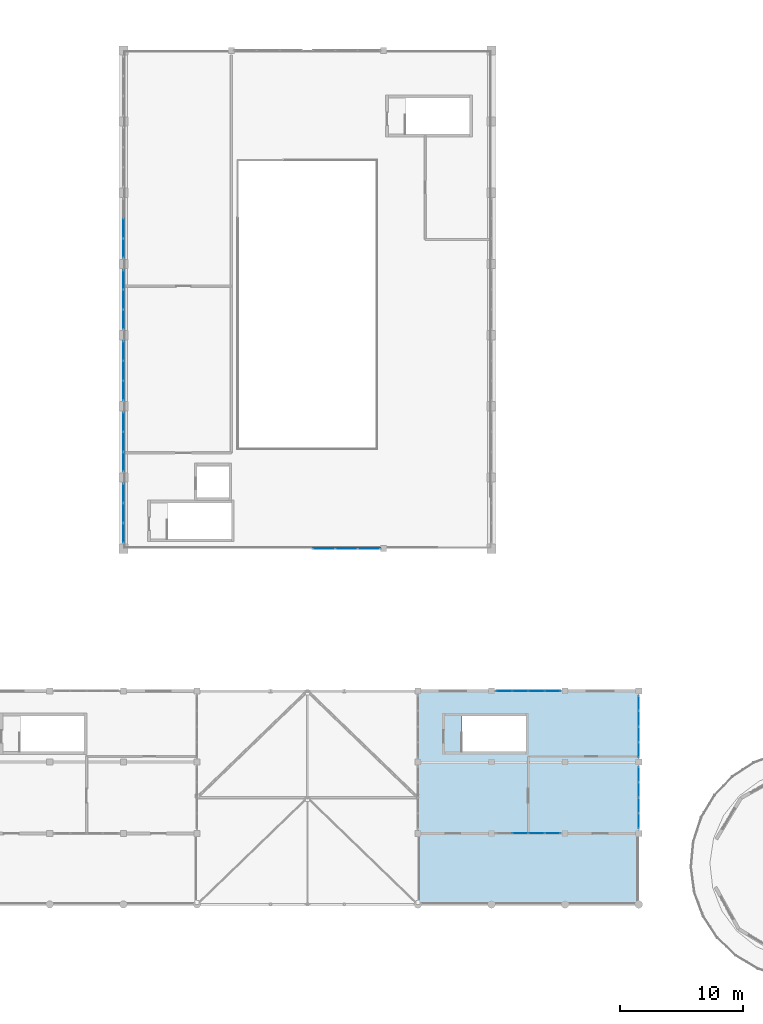
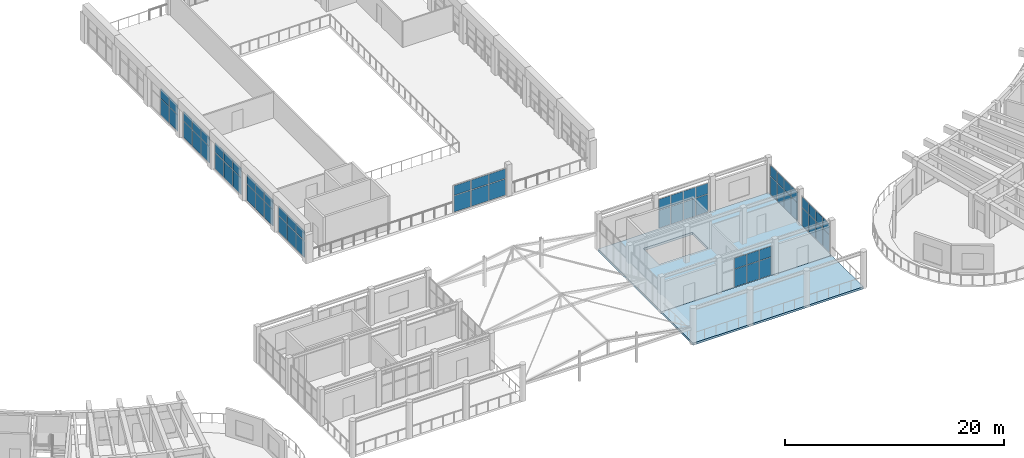
# One storey, part 69 of 128: 64 plates, 2 slabs, 10 elements without a shape of their own.
"""IFC4 building model written with IfcOpenShell, lengths in metres."""

from ifc_helpers import new_model, si_unit, direction, frame, origin, origin_2d, place, context, subcontext, project, spatial, polyline, rectangle, outline, extrude, material, layer, layer_set, type_object, element, aggregate, save


model = new_model("IFC4")

# Units and contexts
model_context = context("Model", 3, precision=1e-05, world=origin(), true_north=direction((0.0, 1.0)))
body_context = subcontext(model_context, "Body", "Model", "MODEL_VIEW")
ifc_project = project(units=[si_unit("LENGTHUNIT", "METRE"), si_unit("AREAUNIT", "SQUARE_METRE"), si_unit("VOLUMEUNIT", "CUBIC_METRE"), si_unit("PLANEANGLEUNIT", "RADIAN"), si_unit("MASSUNIT", "GRAM", prefix="KILO")], contexts=[model_context])

# Site, building, storey
site_placement = place(None, origin())
site = spatial("IfcSite", under=ifc_project, at=site_placement, CompositionType="ELEMENT")
building_placement = place(site_placement, origin())
building = spatial("IfcBuilding", under=site, at=building_placement, Name="Tanwirah Colonnade Gardens", CompositionType="ELEMENT")
storey_placement = place(building_placement, frame((0.0, 0.0, 4.760009765625)))
storey = spatial("IfcBuildingStorey", under=building, at=storey_placement, Name="L01", CompositionType="ELEMENT", Elevation=4.760009765625)

# Curtain wall, plates
ifc_material_1 = material(Name="Bronze-anodised aluminium and solar-control low-E glass", Category="aluminium")
curtain_wall_type_1 = type_object("IfcCurtainWallType", Name="CW-HALL", PredefinedType="NOTDEFINED", material=ifc_material_1)
curtain_wall_1_placement = place(storey_placement, origin())
curtain_wall_1 = element("IfcCurtainWall", 1, at=curtain_wall_1_placement, inside=storey, type_object=curtain_wall_type_1, Name="Curtain Wall CW-HALL-L01-S-2", PredefinedType="NOTDEFINED")
ifc_material_2 = material(Name="Solar-control low-E double glazing", Category="glass")
ifc_layer_1 = layer(ifc_material_2, 0.028076171875)
ifc_layer_set_1 = layer_set([ifc_layer_1], Name="Solar-control low-E double glazing")
plate_type_1 = type_object("IfcPlateType", Name="CWP-GLZ28", PredefinedType="CURTAIN_PANEL", material=ifc_layer_set_1)
plate_1_placement = place(storey_placement, frame((94.344970703125, 39.800048828125, 0.06005859375), z_axis=(0.0, 0.0, 1.0), x_axis=(1.0, 0.0, 0.0)))
plate_1 = element("IfcPlate", 2, at=plate_1_placement, type_object=plate_type_1, Name="CW-HALL panel 1.1", PredefinedType="CURTAIN_PANEL", context=body_context, shape_type="SweptSolid", body=[
    extrude(rectangle(XDim=1.77001953125, YDim=0.028076171875, at=origin_2d()), origin(), (0.0, 0.0, 1.0), 1.80712890625),
])
plate_2_placement = place(storey_placement, frame((94.344970703125, 39.800048828125, 1.92724609375), z_axis=(0.0, 0.0, 1.0), x_axis=(1.0, 0.0, 0.0)))
plate_2 = element("IfcPlate", 3, at=plate_2_placement, type_object=plate_type_1, Name="CW-HALL panel 1.2", PredefinedType="CURTAIN_PANEL", context=body_context, shape_type="SweptSolid", body=[
    extrude(rectangle(XDim=1.77001953125, YDim=0.028076171875, at=origin_2d()), origin(), (0.0, 0.0, 1.0), 1.07275390625),
])
plate_3_placement = place(storey_placement, frame((96.18994140625, 39.800048828125, 0.06005859375), z_axis=(0.0, 0.0, 1.0), x_axis=(1.0, 0.0, 0.0)))
plate_3 = element("IfcPlate", 4, at=plate_3_placement, type_object=plate_type_1, Name="CW-HALL panel 2.1", PredefinedType="CURTAIN_PANEL", context=body_context, shape_type="SweptSolid", body=[
    extrude(rectangle(XDim=1.800048828125, YDim=0.028076171875, at=origin_2d()), origin(), (0.0, 0.0, 1.0), 1.80712890625),
])
plate_4_placement = place(storey_placement, frame((96.18994140625, 39.800048828125, 1.92724609375), z_axis=(0.0, 0.0, 1.0), x_axis=(1.0, 0.0, 0.0)))
plate_4 = element("IfcPlate", 5, at=plate_4_placement, type_object=plate_type_1, Name="CW-HALL panel 2.2", PredefinedType="CURTAIN_PANEL", context=body_context, shape_type="SweptSolid", body=[
    extrude(rectangle(XDim=1.800048828125, YDim=0.028076171875, at=origin_2d()), origin(), (0.0, 0.0, 1.0), 1.07275390625),
])
plate_5_placement = place(storey_placement, frame((98.034912109375, 39.800048828125, 0.06005859375), z_axis=(0.0, 0.0, 1.0), x_axis=(1.0, 0.0, 0.0)))
plate_5 = element("IfcPlate", 6, at=plate_5_placement, type_object=plate_type_1, Name="CW-HALL panel 3.1", PredefinedType="CURTAIN_PANEL", context=body_context, shape_type="SweptSolid", body=[
    extrude(rectangle(XDim=1.77001953125, YDim=0.028076171875, at=origin_2d()), origin(), (0.0, 0.0, 1.0), 1.80712890625),
])
plate_6_placement = place(storey_placement, frame((98.034912109375, 39.800048828125, 1.92724609375), z_axis=(0.0, 0.0, 1.0), x_axis=(1.0, 0.0, 0.0)))
plate_6 = element("IfcPlate", 7, at=plate_6_placement, type_object=plate_type_1, Name="CW-HALL panel 3.2", PredefinedType="CURTAIN_PANEL", context=body_context, shape_type="SweptSolid", body=[
    extrude(rectangle(XDim=1.77001953125, YDim=0.028076171875, at=origin_2d()), origin(), (0.0, 0.0, 1.0), 1.07275390625),
])
aggregate(curtain_wall_1, [plate_1, plate_2, plate_3, plate_4, plate_5, plate_6])

curtain_wall_type_2 = type_object("IfcCurtainWallType", Name="CW-SHP", PredefinedType="NOTDEFINED", material=ifc_material_1)
curtain_wall_2_placement = place(storey_placement, origin())
curtain_wall_2 = element("IfcCurtainWall", 8, at=curtain_wall_2_placement, inside=storey, type_object=curtain_wall_type_2, Name="Curtain Wall CW-SHP-E-L01-S-1", PredefinedType="NOTDEFINED")
plate_7_placement = place(storey_placement, frame((110.33740234375, 16.60009765625, 0.06005859375), z_axis=(0.0, 0.0, 1.0), x_axis=(1.0, 0.0, 0.0)))
plate_7 = element("IfcPlate", 9, at=plate_7_placement, type_object=plate_type_1, Name="CW-SHP panel 2.1", PredefinedType="CURTAIN_PANEL", context=body_context, shape_type="SweptSolid", body=[
    extrude(rectangle(XDim=1.264892578125, YDim=0.028076171875, at=origin_2d()), origin(), (0.0, 0.0, 1.0), 1.980712890625),
])
plate_8_placement = place(storey_placement, frame((110.33740234375, 16.60009765625, 2.100830078125), z_axis=(0.0, 0.0, 1.0), x_axis=(1.0, 0.0, 0.0)))
plate_8 = element("IfcPlate", 10, at=plate_8_placement, type_object=plate_type_1, Name="CW-SHP panel 2.2", PredefinedType="CURTAIN_PANEL", context=body_context, shape_type="SweptSolid", body=[
    extrude(rectangle(XDim=1.264892578125, YDim=0.028076171875, at=origin_2d()), origin(), (0.0, 0.0, 1.0), 1.17919921875),
])
plate_9_placement = place(storey_placement, frame((111.66259765625, 16.60009765625, 0.06005859375), z_axis=(0.0, 0.0, 1.0), x_axis=(1.0, 0.0, 0.0)))
plate_9 = element("IfcPlate", 11, at=plate_9_placement, type_object=plate_type_1, Name="CW-SHP panel 3.1", PredefinedType="CURTAIN_PANEL", context=body_context, shape_type="SweptSolid", body=[
    extrude(rectangle(XDim=1.264892578125, YDim=0.028076171875, at=origin_2d()), origin(), (0.0, 0.0, 1.0), 1.980712890625),
])
plate_10_placement = place(storey_placement, frame((111.66259765625, 16.60009765625, 2.100830078125), z_axis=(0.0, 0.0, 1.0), x_axis=(1.0, 0.0, 0.0)))
plate_10 = element("IfcPlate", 12, at=plate_10_placement, type_object=plate_type_1, Name="CW-SHP panel 3.2", PredefinedType="CURTAIN_PANEL", context=body_context, shape_type="SweptSolid", body=[
    extrude(rectangle(XDim=1.264892578125, YDim=0.028076171875, at=origin_2d()), origin(), (0.0, 0.0, 1.0), 1.17919921875),
])
plate_11_placement = place(storey_placement, frame((112.972412109375, 16.60009765625, 0.06005859375), z_axis=(0.0, 0.0, 1.0), x_axis=(1.0, 0.0, 0.0)))
plate_11 = element("IfcPlate", 13, at=plate_11_placement, type_object=plate_type_1, Name="CW-SHP panel 4.1", PredefinedType="CURTAIN_PANEL", context=body_context, shape_type="SweptSolid", body=[
    extrude(rectangle(XDim=1.235107421875, YDim=0.028076171875, at=origin_2d()), origin(), (0.0, 0.0, 1.0), 1.980712890625),
])
plate_12_placement = place(storey_placement, frame((112.972412109375, 16.60009765625, 2.100830078125), z_axis=(0.0, 0.0, 1.0), x_axis=(1.0, 0.0, 0.0)))
plate_12 = element("IfcPlate", 14, at=plate_12_placement, type_object=plate_type_1, Name="CW-SHP panel 4.2", PredefinedType="CURTAIN_PANEL", context=body_context, shape_type="SweptSolid", body=[
    extrude(rectangle(XDim=1.235107421875, YDim=0.028076171875, at=origin_2d()), origin(), (0.0, 0.0, 1.0), 1.17919921875),
])
aggregate(curtain_wall_2, [plate_7, plate_8, plate_9, plate_10, plate_11, plate_12])

curtain_wall_3_placement = place(storey_placement, origin())
curtain_wall_3 = element("IfcCurtainWall", 15, at=curtain_wall_3_placement, inside=storey, type_object=curtain_wall_type_2, Name="Curtain Wall CW-SHP-E-L01-N-1", PredefinedType="NOTDEFINED")
plate_13_placement = place(storey_placement, frame((109.027587890625, 28.199951171875, 0.06005859375), z_axis=(0.0, 0.0, 1.0), x_axis=(1.0, 0.0, 0.0)))
plate_13 = element("IfcPlate", 16, at=plate_13_placement, type_object=plate_type_1, Name="CW-SHP panel 1.1", PredefinedType="CURTAIN_PANEL", context=body_context, shape_type="SweptSolid", body=[
    extrude(rectangle(XDim=1.235107421875, YDim=0.028076171875, at=origin_2d()), origin(), (0.0, 0.0, 1.0), 1.980712890625),
])
plate_14_placement = place(storey_placement, frame((109.027587890625, 28.199951171875, 2.100830078125), z_axis=(0.0, 0.0, 1.0), x_axis=(1.0, 0.0, 0.0)))
plate_14 = element("IfcPlate", 17, at=plate_14_placement, type_object=plate_type_1, Name="CW-SHP panel 1.2", PredefinedType="CURTAIN_PANEL", context=body_context, shape_type="SweptSolid", body=[
    extrude(rectangle(XDim=1.235107421875, YDim=0.028076171875, at=origin_2d()), origin(), (0.0, 0.0, 1.0), 1.17919921875),
])
plate_15_placement = place(storey_placement, frame((110.33740234375, 28.199951171875, 0.06005859375), z_axis=(0.0, 0.0, 1.0), x_axis=(1.0, 0.0, 0.0)))
plate_15 = element("IfcPlate", 18, at=plate_15_placement, type_object=plate_type_1, Name="CW-SHP panel 2.1", PredefinedType="CURTAIN_PANEL", context=body_context, shape_type="SweptSolid", body=[
    extrude(rectangle(XDim=1.264892578125, YDim=0.028076171875, at=origin_2d()), origin(), (0.0, 0.0, 1.0), 1.980712890625),
])
plate_16_placement = place(storey_placement, frame((110.33740234375, 28.199951171875, 2.100830078125), z_axis=(0.0, 0.0, 1.0), x_axis=(1.0, 0.0, 0.0)))
plate_16 = element("IfcPlate", 19, at=plate_16_placement, type_object=plate_type_1, Name="CW-SHP panel 2.2", PredefinedType="CURTAIN_PANEL", context=body_context, shape_type="SweptSolid", body=[
    extrude(rectangle(XDim=1.264892578125, YDim=0.028076171875, at=origin_2d()), origin(), (0.0, 0.0, 1.0), 1.17919921875),
])
plate_17_placement = place(storey_placement, frame((111.66259765625, 28.199951171875, 0.06005859375), z_axis=(0.0, 0.0, 1.0), x_axis=(1.0, 0.0, 0.0)))
plate_17 = element("IfcPlate", 20, at=plate_17_placement, type_object=plate_type_1, Name="CW-SHP panel 3.1", PredefinedType="CURTAIN_PANEL", context=body_context, shape_type="SweptSolid", body=[
    extrude(rectangle(XDim=1.264892578125, YDim=0.028076171875, at=origin_2d()), origin(), (0.0, 0.0, 1.0), 1.980712890625),
])
plate_18_placement = place(storey_placement, frame((111.66259765625, 28.199951171875, 2.100830078125), z_axis=(0.0, 0.0, 1.0), x_axis=(1.0, 0.0, 0.0)))
plate_18 = element("IfcPlate", 21, at=plate_18_placement, type_object=plate_type_1, Name="CW-SHP panel 3.2", PredefinedType="CURTAIN_PANEL", context=body_context, shape_type="SweptSolid", body=[
    extrude(rectangle(XDim=1.264892578125, YDim=0.028076171875, at=origin_2d()), origin(), (0.0, 0.0, 1.0), 1.17919921875),
])
plate_19_placement = place(storey_placement, frame((112.972412109375, 28.199951171875, 0.06005859375), z_axis=(0.0, 0.0, 1.0), x_axis=(1.0, 0.0, 0.0)))
plate_19 = element("IfcPlate", 22, at=plate_19_placement, type_object=plate_type_1, Name="CW-SHP panel 4.1", PredefinedType="CURTAIN_PANEL", context=body_context, shape_type="SweptSolid", body=[
    extrude(rectangle(XDim=1.235107421875, YDim=0.028076171875, at=origin_2d()), origin(), (0.0, 0.0, 1.0), 1.980712890625),
])
plate_20_placement = place(storey_placement, frame((112.972412109375, 28.199951171875, 2.100830078125), z_axis=(0.0, 0.0, 1.0), x_axis=(1.0, 0.0, 0.0)))
plate_20 = element("IfcPlate", 23, at=plate_20_placement, type_object=plate_type_1, Name="CW-SHP panel 4.2", PredefinedType="CURTAIN_PANEL", context=body_context, shape_type="SweptSolid", body=[
    extrude(rectangle(XDim=1.235107421875, YDim=0.028076171875, at=origin_2d()), origin(), (0.0, 0.0, 1.0), 1.17919921875),
])
aggregate(curtain_wall_3, [plate_13, plate_14, plate_15, plate_16, plate_17, plate_18, plate_19, plate_20])

curtain_wall_4_placement = place(storey_placement, origin())
curtain_wall_4 = element("IfcCurtainWall", 24, at=curtain_wall_4_placement, inside=storey, type_object=curtain_wall_type_2, Name="Curtain Wall CW-SHP-E-L01-E-1", PredefinedType="NOTDEFINED")
plate_21_placement = place(storey_placement, frame((120.0, 17.6025390625, 0.06005859375), z_axis=(0.0, 0.0, 1.0), x_axis=(0.0, 1.0, 0.0)))
plate_21 = element("IfcPlate", 25, at=plate_21_placement, type_object=plate_type_1, Name="CW-SHP panel 1.1", PredefinedType="CURTAIN_PANEL", context=body_context, shape_type="SweptSolid", body=[
    extrude(rectangle(XDim=1.18505859375, YDim=0.028076171875, at=origin_2d()), origin(), (0.0, 0.0, 1.0), 1.980712890625),
])
plate_22_placement = place(storey_placement, frame((120.0, 17.6025390625, 2.100830078125), z_axis=(0.0, 0.0, 1.0), x_axis=(0.0, 1.0, 0.0)))
plate_22 = element("IfcPlate", 26, at=plate_22_placement, type_object=plate_type_1, Name="CW-SHP panel 1.2", PredefinedType="CURTAIN_PANEL", context=body_context, shape_type="SweptSolid", body=[
    extrude(rectangle(XDim=1.18505859375, YDim=0.028076171875, at=origin_2d()), origin(), (0.0, 0.0, 1.0), 1.17919921875),
])
plate_23_placement = place(storey_placement, frame((120.0, 18.862548828125, 0.06005859375), z_axis=(0.0, 0.0, 1.0), x_axis=(0.0, 1.0, 0.0)))
plate_23 = element("IfcPlate", 27, at=plate_23_placement, type_object=plate_type_1, Name="CW-SHP panel 2.1", PredefinedType="CURTAIN_PANEL", context=body_context, shape_type="SweptSolid", body=[
    extrude(rectangle(XDim=1.215087890625, YDim=0.028076171875, at=origin_2d()), origin(), (0.0, 0.0, 1.0), 1.980712890625),
])
plate_24_placement = place(storey_placement, frame((120.0, 18.862548828125, 2.100830078125), z_axis=(0.0, 0.0, 1.0), x_axis=(0.0, 1.0, 0.0)))
plate_24 = element("IfcPlate", 28, at=plate_24_placement, type_object=plate_type_1, Name="CW-SHP panel 2.2", PredefinedType="CURTAIN_PANEL", context=body_context, shape_type="SweptSolid", body=[
    extrude(rectangle(XDim=1.215087890625, YDim=0.028076171875, at=origin_2d()), origin(), (0.0, 0.0, 1.0), 1.17919921875),
])
plate_25_placement = place(storey_placement, frame((120.0, 20.137451171875, 0.06005859375), z_axis=(0.0, 0.0, 1.0), x_axis=(0.0, 1.0, 0.0)))
plate_25 = element("IfcPlate", 29, at=plate_25_placement, type_object=plate_type_1, Name="CW-SHP panel 3.1", PredefinedType="CURTAIN_PANEL", context=body_context, shape_type="SweptSolid", body=[
    extrude(rectangle(XDim=1.215087890625, YDim=0.028076171875, at=origin_2d()), origin(), (0.0, 0.0, 1.0), 1.980712890625),
])
plate_26_placement = place(storey_placement, frame((120.0, 20.137451171875, 2.100830078125), z_axis=(0.0, 0.0, 1.0), x_axis=(0.0, 1.0, 0.0)))
plate_26 = element("IfcPlate", 30, at=plate_26_placement, type_object=plate_type_1, Name="CW-SHP panel 3.2", PredefinedType="CURTAIN_PANEL", context=body_context, shape_type="SweptSolid", body=[
    extrude(rectangle(XDim=1.215087890625, YDim=0.028076171875, at=origin_2d()), origin(), (0.0, 0.0, 1.0), 1.17919921875),
])
plate_27_placement = place(storey_placement, frame((120.0, 21.3974609375, 0.06005859375), z_axis=(0.0, 0.0, 1.0), x_axis=(0.0, 1.0, 0.0)))
plate_27 = element("IfcPlate", 31, at=plate_27_placement, type_object=plate_type_1, Name="CW-SHP panel 4.1", PredefinedType="CURTAIN_PANEL", context=body_context, shape_type="SweptSolid", body=[
    extrude(rectangle(XDim=1.18505859375, YDim=0.028076171875, at=origin_2d()), origin(), (0.0, 0.0, 1.0), 1.980712890625),
])
plate_28_placement = place(storey_placement, frame((120.0, 21.3974609375, 2.100830078125), z_axis=(0.0, 0.0, 1.0), x_axis=(0.0, 1.0, 0.0)))
plate_28 = element("IfcPlate", 32, at=plate_28_placement, type_object=plate_type_1, Name="CW-SHP panel 4.2", PredefinedType="CURTAIN_PANEL", context=body_context, shape_type="SweptSolid", body=[
    extrude(rectangle(XDim=1.18505859375, YDim=0.028076171875, at=origin_2d()), origin(), (0.0, 0.0, 1.0), 1.17919921875),
])
aggregate(curtain_wall_4, [plate_21, plate_22, plate_23, plate_24, plate_25, plate_26, plate_27, plate_28])

curtain_wall_5_placement = place(storey_placement, origin())
curtain_wall_5 = element("IfcCurtainWall", 33, at=curtain_wall_5_placement, inside=storey, type_object=curtain_wall_type_2, Name="Curtain Wall CW-SHP-E-L01-E-2", PredefinedType="NOTDEFINED")
plate_29_placement = place(storey_placement, frame((120.0, 23.402587890625, 0.06005859375), z_axis=(0.0, 0.0, 1.0), x_axis=(0.0, 1.0, 0.0)))
plate_29 = element("IfcPlate", 34, at=plate_29_placement, type_object=plate_type_1, Name="CW-SHP panel 1.1", PredefinedType="CURTAIN_PANEL", context=body_context, shape_type="SweptSolid", body=[
    extrude(rectangle(XDim=1.18505859375, YDim=0.028076171875, at=origin_2d()), origin(), (0.0, 0.0, 1.0), 1.980712890625),
])
plate_30_placement = place(storey_placement, frame((120.0, 23.402587890625, 2.100830078125), z_axis=(0.0, 0.0, 1.0), x_axis=(0.0, 1.0, 0.0)))
plate_30 = element("IfcPlate", 35, at=plate_30_placement, type_object=plate_type_1, Name="CW-SHP panel 1.2", PredefinedType="CURTAIN_PANEL", context=body_context, shape_type="SweptSolid", body=[
    extrude(rectangle(XDim=1.18505859375, YDim=0.028076171875, at=origin_2d()), origin(), (0.0, 0.0, 1.0), 1.17919921875),
])
plate_31_placement = place(storey_placement, frame((120.0, 24.66259765625, 0.06005859375), z_axis=(0.0, 0.0, 1.0), x_axis=(0.0, 1.0, 0.0)))
plate_31 = element("IfcPlate", 36, at=plate_31_placement, type_object=plate_type_1, Name="CW-SHP panel 2.1", PredefinedType="CURTAIN_PANEL", context=body_context, shape_type="SweptSolid", body=[
    extrude(rectangle(XDim=1.215087890625, YDim=0.028076171875, at=origin_2d()), origin(), (0.0, 0.0, 1.0), 1.980712890625),
])
plate_32_placement = place(storey_placement, frame((120.0, 24.66259765625, 2.100830078125), z_axis=(0.0, 0.0, 1.0), x_axis=(0.0, 1.0, 0.0)))
plate_32 = element("IfcPlate", 37, at=plate_32_placement, type_object=plate_type_1, Name="CW-SHP panel 2.2", PredefinedType="CURTAIN_PANEL", context=body_context, shape_type="SweptSolid", body=[
    extrude(rectangle(XDim=1.215087890625, YDim=0.028076171875, at=origin_2d()), origin(), (0.0, 0.0, 1.0), 1.17919921875),
])
plate_33_placement = place(storey_placement, frame((120.0, 25.9375, 0.06005859375), z_axis=(0.0, 0.0, 1.0), x_axis=(0.0, 1.0, 0.0)))
plate_33 = element("IfcPlate", 38, at=plate_33_placement, type_object=plate_type_1, Name="CW-SHP panel 3.1", PredefinedType="CURTAIN_PANEL", context=body_context, shape_type="SweptSolid", body=[
    extrude(rectangle(XDim=1.215087890625, YDim=0.028076171875, at=origin_2d()), origin(), (0.0, 0.0, 1.0), 1.980712890625),
])
plate_34_placement = place(storey_placement, frame((120.0, 25.9375, 2.100830078125), z_axis=(0.0, 0.0, 1.0), x_axis=(0.0, 1.0, 0.0)))
plate_34 = element("IfcPlate", 39, at=plate_34_placement, type_object=plate_type_1, Name="CW-SHP panel 3.2", PredefinedType="CURTAIN_PANEL", context=body_context, shape_type="SweptSolid", body=[
    extrude(rectangle(XDim=1.215087890625, YDim=0.028076171875, at=origin_2d()), origin(), (0.0, 0.0, 1.0), 1.17919921875),
])
plate_35_placement = place(storey_placement, frame((120.0, 27.197509765625, 0.06005859375), z_axis=(0.0, 0.0, 1.0), x_axis=(0.0, 1.0, 0.0)))
plate_35 = element("IfcPlate", 40, at=plate_35_placement, type_object=plate_type_1, Name="CW-SHP panel 4.1", PredefinedType="CURTAIN_PANEL", context=body_context, shape_type="SweptSolid", body=[
    extrude(rectangle(XDim=1.18505859375, YDim=0.028076171875, at=origin_2d()), origin(), (0.0, 0.0, 1.0), 1.980712890625),
])
plate_36_placement = place(storey_placement, frame((120.0, 27.197509765625, 2.100830078125), z_axis=(0.0, 0.0, 1.0), x_axis=(0.0, 1.0, 0.0)))
plate_36 = element("IfcPlate", 41, at=plate_36_placement, type_object=plate_type_1, Name="CW-SHP panel 4.2", PredefinedType="CURTAIN_PANEL", context=body_context, shape_type="SweptSolid", body=[
    extrude(rectangle(XDim=1.18505859375, YDim=0.028076171875, at=origin_2d()), origin(), (0.0, 0.0, 1.0), 1.17919921875),
])
aggregate(curtain_wall_5, [plate_29, plate_30, plate_31, plate_32, plate_33, plate_34, plate_35, plate_36])

curtain_wall_6_placement = place(storey_placement, origin())
curtain_wall_6 = element("IfcCurtainWall", 42, at=curtain_wall_6_placement, inside=storey, type_object=curtain_wall_type_1, Name="Curtain Wall CW-HALL-L01-W-1", PredefinedType="NOTDEFINED")
ifc_material_3 = material(Name="Insulated bronze aluminium spandrel panel", Category="aluminium")
ifc_layer_2 = layer(ifc_material_3, 0.035888671875)
ifc_layer_set_2 = layer_set([ifc_layer_2], Name="Insulated bronze aluminium spandrel panel")
plate_type_2 = type_object("IfcPlateType", Name="CWP-SPN36", PredefinedType="CURTAIN_PANEL", material=ifc_layer_set_2)
plate_37_placement = place(storey_placement, frame((78.0, 41.0830078125, 0.06494140625), z_axis=(0.0, 0.0, 1.0), x_axis=(0.0, 1.0, 0.0)))
plate_37 = element("IfcPlate", 43, at=plate_37_placement, type_object=plate_type_2, Name="CW-HALL panel 1.1", PredefinedType="CURTAIN_PANEL", context=body_context, shape_type="SweptSolid", body=[
    extrude(rectangle(XDim=1.535888671875, YDim=0.035888671875, at=origin_2d()), origin(), (0.0, 0.0, 1.0), 1.7998046875),
])
plate_38_placement = place(storey_placement, frame((78.0, 41.0830078125, 1.9296875), z_axis=(0.0, 0.0, 1.0), x_axis=(0.0, 1.0, 0.0)))
plate_38 = element("IfcPlate", 44, at=plate_38_placement, type_object=plate_type_2, Name="CW-HALL panel 1.2", PredefinedType="CURTAIN_PANEL", context=body_context, shape_type="SweptSolid", body=[
    extrude(rectangle(XDim=1.535888671875, YDim=0.035888671875, at=origin_2d()), origin(), (0.0, 0.0, 1.0), 1.065185546875),
])
plate_39_placement = place(storey_placement, frame((78.0, 42.699951171875, 0.06494140625), z_axis=(0.0, 0.0, 1.0), x_axis=(0.0, 1.0, 0.0)))
plate_39 = element("IfcPlate", 45, at=plate_39_placement, type_object=plate_type_2, Name="CW-HALL panel 2.1", PredefinedType="CURTAIN_PANEL", context=body_context, shape_type="SweptSolid", body=[
    extrude(rectangle(XDim=1.568359375, YDim=0.035888671875, at=origin_2d()), origin(), (0.0, 0.0, 1.0), 1.7998046875),
])
plate_40_placement = place(storey_placement, frame((78.0, 42.699951171875, 1.9296875), z_axis=(0.0, 0.0, 1.0), x_axis=(0.0, 1.0, 0.0)))
plate_40 = element("IfcPlate", 46, at=plate_40_placement, type_object=plate_type_2, Name="CW-HALL panel 2.2", PredefinedType="CURTAIN_PANEL", context=body_context, shape_type="SweptSolid", body=[
    extrude(rectangle(XDim=1.568359375, YDim=0.035888671875, at=origin_2d()), origin(), (0.0, 0.0, 1.0), 1.065185546875),
])
plate_41_placement = place(storey_placement, frame((78.0, 44.317138671875, 0.06494140625), z_axis=(0.0, 0.0, 1.0), x_axis=(0.0, 1.0, 0.0)))
plate_41 = element("IfcPlate", 47, at=plate_41_placement, type_object=plate_type_2, Name="CW-HALL panel 3.1", PredefinedType="CURTAIN_PANEL", context=body_context, shape_type="SweptSolid", body=[
    extrude(rectangle(XDim=1.535888671875, YDim=0.035888671875, at=origin_2d()), origin(), (0.0, 0.0, 1.0), 1.7998046875),
])
plate_42_placement = place(storey_placement, frame((78.0, 44.317138671875, 1.9296875), z_axis=(0.0, 0.0, 1.0), x_axis=(0.0, 1.0, 0.0)))
plate_42 = element("IfcPlate", 48, at=plate_42_placement, type_object=plate_type_2, Name="CW-HALL panel 3.2", PredefinedType="CURTAIN_PANEL", context=body_context, shape_type="SweptSolid", body=[
    extrude(rectangle(XDim=1.535888671875, YDim=0.035888671875, at=origin_2d()), origin(), (0.0, 0.0, 1.0), 1.065185546875),
])
aggregate(curtain_wall_6, [plate_37, plate_38, plate_39, plate_40, plate_41, plate_42])

curtain_wall_7_placement = place(storey_placement, origin())
curtain_wall_7 = element("IfcCurtainWall", 49, at=curtain_wall_7_placement, inside=storey, type_object=curtain_wall_type_1, Name="Curtain Wall CW-HALL-L01-W-2", PredefinedType="NOTDEFINED")
plate_43_placement = place(storey_placement, frame((78.0, 46.8828125, 0.06494140625), z_axis=(0.0, 0.0, 1.0), x_axis=(0.0, 1.0, 0.0)))
plate_43 = element("IfcPlate", 50, at=plate_43_placement, type_object=plate_type_2, Name="CW-HALL panel 1.1", PredefinedType="CURTAIN_PANEL", context=body_context, shape_type="SweptSolid", body=[
    extrude(rectangle(XDim=1.535888671875, YDim=0.035888671875, at=origin_2d()), origin(), (0.0, 0.0, 1.0), 1.7998046875),
])
plate_44_placement = place(storey_placement, frame((78.0, 46.8828125, 1.9296875), z_axis=(0.0, 0.0, 1.0), x_axis=(0.0, 1.0, 0.0)))
plate_44 = element("IfcPlate", 51, at=plate_44_placement, type_object=plate_type_2, Name="CW-HALL panel 1.2", PredefinedType="CURTAIN_PANEL", context=body_context, shape_type="SweptSolid", body=[
    extrude(rectangle(XDim=1.535888671875, YDim=0.035888671875, at=origin_2d()), origin(), (0.0, 0.0, 1.0), 1.065185546875),
])
plate_45_placement = place(storey_placement, frame((78.0, 48.5, 0.06494140625), z_axis=(0.0, 0.0, 1.0), x_axis=(0.0, 1.0, 0.0)))
plate_45 = element("IfcPlate", 52, at=plate_45_placement, type_object=plate_type_2, Name="CW-HALL panel 2.1", PredefinedType="CURTAIN_PANEL", context=body_context, shape_type="SweptSolid", body=[
    extrude(rectangle(XDim=1.568359375, YDim=0.035888671875, at=origin_2d()), origin(), (0.0, 0.0, 1.0), 1.7998046875),
])
plate_46_placement = place(storey_placement, frame((78.0, 48.5, 1.9296875), z_axis=(0.0, 0.0, 1.0), x_axis=(0.0, 1.0, 0.0)))
plate_46 = element("IfcPlate", 53, at=plate_46_placement, type_object=plate_type_2, Name="CW-HALL panel 2.2", PredefinedType="CURTAIN_PANEL", context=body_context, shape_type="SweptSolid", body=[
    extrude(rectangle(XDim=1.568359375, YDim=0.035888671875, at=origin_2d()), origin(), (0.0, 0.0, 1.0), 1.065185546875),
])
plate_47_placement = place(storey_placement, frame((78.0, 50.1171875, 0.06494140625), z_axis=(0.0, 0.0, 1.0), x_axis=(0.0, 1.0, 0.0)))
plate_47 = element("IfcPlate", 54, at=plate_47_placement, type_object=plate_type_2, Name="CW-HALL panel 3.1", PredefinedType="CURTAIN_PANEL", context=body_context, shape_type="SweptSolid", body=[
    extrude(rectangle(XDim=1.535888671875, YDim=0.035888671875, at=origin_2d()), origin(), (0.0, 0.0, 1.0), 1.7998046875),
])
plate_48_placement = place(storey_placement, frame((78.0, 50.1171875, 1.9296875), z_axis=(0.0, 0.0, 1.0), x_axis=(0.0, 1.0, 0.0)))
plate_48 = element("IfcPlate", 55, at=plate_48_placement, type_object=plate_type_2, Name="CW-HALL panel 3.2", PredefinedType="CURTAIN_PANEL", context=body_context, shape_type="SweptSolid", body=[
    extrude(rectangle(XDim=1.535888671875, YDim=0.035888671875, at=origin_2d()), origin(), (0.0, 0.0, 1.0), 1.065185546875),
])
aggregate(curtain_wall_7, [plate_43, plate_44, plate_45, plate_46, plate_47, plate_48])

curtain_wall_8_placement = place(storey_placement, origin())
curtain_wall_8 = element("IfcCurtainWall", 56, at=curtain_wall_8_placement, inside=storey, type_object=curtain_wall_type_1, Name="Curtain Wall CW-HALL-L01-W-3", PredefinedType="NOTDEFINED")
plate_49_placement = place(storey_placement, frame((78.0, 52.682861328125, 0.06494140625), z_axis=(0.0, 0.0, 1.0), x_axis=(0.0, 1.0, 0.0)))
plate_49 = element("IfcPlate", 57, at=plate_49_placement, type_object=plate_type_2, Name="CW-HALL panel 1.1", PredefinedType="CURTAIN_PANEL", context=body_context, shape_type="SweptSolid", body=[
    extrude(rectangle(XDim=1.535888671875, YDim=0.035888671875, at=origin_2d()), origin(), (0.0, 0.0, 1.0), 1.7998046875),
])
plate_50_placement = place(storey_placement, frame((78.0, 52.682861328125, 1.9296875), z_axis=(0.0, 0.0, 1.0), x_axis=(0.0, 1.0, 0.0)))
plate_50 = element("IfcPlate", 58, at=plate_50_placement, type_object=plate_type_2, Name="CW-HALL panel 1.2", PredefinedType="CURTAIN_PANEL", context=body_context, shape_type="SweptSolid", body=[
    extrude(rectangle(XDim=1.535888671875, YDim=0.035888671875, at=origin_2d()), origin(), (0.0, 0.0, 1.0), 1.065185546875),
])
plate_51_placement = place(storey_placement, frame((78.0, 54.300048828125, 0.06494140625), z_axis=(0.0, 0.0, 1.0), x_axis=(0.0, 1.0, 0.0)))
plate_51 = element("IfcPlate", 59, at=plate_51_placement, type_object=plate_type_2, Name="CW-HALL panel 2.1", PredefinedType="CURTAIN_PANEL", context=body_context, shape_type="SweptSolid", body=[
    extrude(rectangle(XDim=1.568359375, YDim=0.035888671875, at=origin_2d()), origin(), (0.0, 0.0, 1.0), 1.7998046875),
])
plate_52_placement = place(storey_placement, frame((78.0, 54.300048828125, 1.9296875), z_axis=(0.0, 0.0, 1.0), x_axis=(0.0, 1.0, 0.0)))
plate_52 = element("IfcPlate", 60, at=plate_52_placement, type_object=plate_type_2, Name="CW-HALL panel 2.2", PredefinedType="CURTAIN_PANEL", context=body_context, shape_type="SweptSolid", body=[
    extrude(rectangle(XDim=1.568359375, YDim=0.035888671875, at=origin_2d()), origin(), (0.0, 0.0, 1.0), 1.065185546875),
])
plate_53_placement = place(storey_placement, frame((78.0, 55.9169921875, 0.06494140625), z_axis=(0.0, 0.0, 1.0), x_axis=(0.0, 1.0, 0.0)))
plate_53 = element("IfcPlate", 61, at=plate_53_placement, type_object=plate_type_2, Name="CW-HALL panel 3.1", PredefinedType="CURTAIN_PANEL", context=body_context, shape_type="SweptSolid", body=[
    extrude(rectangle(XDim=1.535888671875, YDim=0.035888671875, at=origin_2d()), origin(), (0.0, 0.0, 1.0), 1.7998046875),
])
plate_54_placement = place(storey_placement, frame((78.0, 55.9169921875, 1.9296875), z_axis=(0.0, 0.0, 1.0), x_axis=(0.0, 1.0, 0.0)))
plate_54 = element("IfcPlate", 62, at=plate_54_placement, type_object=plate_type_2, Name="CW-HALL panel 3.2", PredefinedType="CURTAIN_PANEL", context=body_context, shape_type="SweptSolid", body=[
    extrude(rectangle(XDim=1.535888671875, YDim=0.035888671875, at=origin_2d()), origin(), (0.0, 0.0, 1.0), 1.065185546875),
])
aggregate(curtain_wall_8, [plate_49, plate_50, plate_51, plate_52, plate_53, plate_54])

curtain_wall_9_placement = place(storey_placement, origin())
curtain_wall_9 = element("IfcCurtainWall", 63, at=curtain_wall_9_placement, inside=storey, type_object=curtain_wall_type_1, Name="Curtain Wall CW-HALL-L01-W-4", PredefinedType="NOTDEFINED")
plate_55_placement = place(storey_placement, frame((78.0, 58.48291015625, 0.06494140625), z_axis=(0.0, 0.0, 1.0), x_axis=(0.0, 1.0, 0.0)))
plate_55 = element("IfcPlate", 64, at=plate_55_placement, type_object=plate_type_2, Name="CW-HALL panel 1.1", PredefinedType="CURTAIN_PANEL", context=body_context, shape_type="SweptSolid", body=[
    extrude(rectangle(XDim=1.535888671875, YDim=0.035888671875, at=origin_2d()), origin(), (0.0, 0.0, 1.0), 1.7998046875),
])
plate_56_placement = place(storey_placement, frame((78.0, 58.48291015625, 1.9296875), z_axis=(0.0, 0.0, 1.0), x_axis=(0.0, 1.0, 0.0)))
plate_56 = element("IfcPlate", 65, at=plate_56_placement, type_object=plate_type_2, Name="CW-HALL panel 1.2", PredefinedType="CURTAIN_PANEL", context=body_context, shape_type="SweptSolid", body=[
    extrude(rectangle(XDim=1.535888671875, YDim=0.035888671875, at=origin_2d()), origin(), (0.0, 0.0, 1.0), 1.065185546875),
])
plate_57_placement = place(storey_placement, frame((78.0, 60.10009765625, 0.06494140625), z_axis=(0.0, 0.0, 1.0), x_axis=(0.0, 1.0, 0.0)))
plate_57 = element("IfcPlate", 66, at=plate_57_placement, type_object=plate_type_2, Name="CW-HALL panel 2.1", PredefinedType="CURTAIN_PANEL", context=body_context, shape_type="SweptSolid", body=[
    extrude(rectangle(XDim=1.568359375, YDim=0.035888671875, at=origin_2d()), origin(), (0.0, 0.0, 1.0), 1.7998046875),
])
plate_58_placement = place(storey_placement, frame((78.0, 60.10009765625, 1.9296875), z_axis=(0.0, 0.0, 1.0), x_axis=(0.0, 1.0, 0.0)))
plate_58 = element("IfcPlate", 67, at=plate_58_placement, type_object=plate_type_2, Name="CW-HALL panel 2.2", PredefinedType="CURTAIN_PANEL", context=body_context, shape_type="SweptSolid", body=[
    extrude(rectangle(XDim=1.568359375, YDim=0.035888671875, at=origin_2d()), origin(), (0.0, 0.0, 1.0), 1.065185546875),
])
plate_59_placement = place(storey_placement, frame((78.0, 61.717041015625, 0.06494140625), z_axis=(0.0, 0.0, 1.0), x_axis=(0.0, 1.0, 0.0)))
plate_59 = element("IfcPlate", 68, at=plate_59_placement, type_object=plate_type_2, Name="CW-HALL panel 3.1", PredefinedType="CURTAIN_PANEL", context=body_context, shape_type="SweptSolid", body=[
    extrude(rectangle(XDim=1.535888671875, YDim=0.035888671875, at=origin_2d()), origin(), (0.0, 0.0, 1.0), 1.7998046875),
])
plate_60_placement = place(storey_placement, frame((78.0, 61.717041015625, 1.9296875), z_axis=(0.0, 0.0, 1.0), x_axis=(0.0, 1.0, 0.0)))
plate_60 = element("IfcPlate", 69, at=plate_60_placement, type_object=plate_type_2, Name="CW-HALL panel 3.2", PredefinedType="CURTAIN_PANEL", context=body_context, shape_type="SweptSolid", body=[
    extrude(rectangle(XDim=1.535888671875, YDim=0.035888671875, at=origin_2d()), origin(), (0.0, 0.0, 1.0), 1.065185546875),
])
aggregate(curtain_wall_9, [plate_55, plate_56, plate_57, plate_58, plate_59, plate_60])

curtain_wall_10_placement = place(storey_placement, origin())
curtain_wall_10 = element("IfcCurtainWall", 70, at=curtain_wall_10_placement, inside=storey, type_object=curtain_wall_type_1, Name="Curtain Wall CW-HALL-L01-W-5", PredefinedType="NOTDEFINED")
plate_61_placement = place(storey_placement, frame((78.0, 64.282958984375, 0.06494140625), z_axis=(0.0, 0.0, 1.0), x_axis=(0.0, 1.0, 0.0)))
plate_61 = element("IfcPlate", 71, at=plate_61_placement, type_object=plate_type_2, Name="CW-HALL panel 1.1", PredefinedType="CURTAIN_PANEL", context=body_context, shape_type="SweptSolid", body=[
    extrude(rectangle(XDim=1.535888671875, YDim=0.035888671875, at=origin_2d()), origin(), (0.0, 0.0, 1.0), 1.7998046875),
])
plate_62_placement = place(storey_placement, frame((78.0, 64.282958984375, 1.9296875), z_axis=(0.0, 0.0, 1.0), x_axis=(0.0, 1.0, 0.0)))
plate_62 = element("IfcPlate", 72, at=plate_62_placement, type_object=plate_type_2, Name="CW-HALL panel 1.2", PredefinedType="CURTAIN_PANEL", context=body_context, shape_type="SweptSolid", body=[
    extrude(rectangle(XDim=1.535888671875, YDim=0.035888671875, at=origin_2d()), origin(), (0.0, 0.0, 1.0), 1.065185546875),
])
plate_63_placement = place(storey_placement, frame((78.0, 65.89990234375, 0.06494140625), z_axis=(0.0, 0.0, 1.0), x_axis=(0.0, 1.0, 0.0)))
plate_63 = element("IfcPlate", 73, at=plate_63_placement, type_object=plate_type_2, Name="CW-HALL panel 2.1", PredefinedType="CURTAIN_PANEL", context=body_context, shape_type="SweptSolid", body=[
    extrude(rectangle(XDim=1.568359375, YDim=0.035888671875, at=origin_2d()), origin(), (0.0, 0.0, 1.0), 1.7998046875),
])
plate_64_placement = place(storey_placement, frame((78.0, 65.89990234375, 1.9296875), z_axis=(0.0, 0.0, 1.0), x_axis=(0.0, 1.0, 0.0)))
plate_64 = element("IfcPlate", 74, at=plate_64_placement, type_object=plate_type_2, Name="CW-HALL panel 2.2", PredefinedType="CURTAIN_PANEL", context=body_context, shape_type="SweptSolid", body=[
    extrude(rectangle(XDim=1.568359375, YDim=0.035888671875, at=origin_2d()), origin(), (0.0, 0.0, 1.0), 1.065185546875),
])
aggregate(curtain_wall_10, [plate_61, plate_62, plate_63, plate_64])

# Slabs
ifc_material_4 = material(Name="Precast concrete C40/50", Category="concrete")
ifc_layer_3 = layer(ifc_material_4, 0.22998046875)
ifc_layer_set_3 = layer_set([ifc_layer_3], Name="Precast concrete C40/50")
slab_type_1 = type_object("IfcSlabType", Name="SL-ARC-230", PredefinedType="FLOOR", material=ifc_layer_set_3)
slab_1_placement = place(storey_placement, frame((0.0, 0.0, -0.22998046875)))
element("IfcSlab", 75, at=slab_1_placement, inside=storey, type_object=slab_type_1, Name="Boulevard Arcade E L01 Terrace Slab", PredefinedType="FLOOR", context=body_context, shape_type="SweptSolid", body=[
    extrude(outline(polyline([(120.0, 10.800048828125), (120.0, 16.60009765625), (102.0, 16.60009765625), (102.0, 10.800048828125), (120.0, 10.800048828125)])), origin(), (0.0, 0.0, 1.0), 0.22998046875),
])
ifc_layer_4 = layer(ifc_material_4, 0.27001953125)
ifc_layer_set_4 = layer_set([ifc_layer_4], Name="Precast concrete C40/50")
slab_type_2 = type_object("IfcSlabType", Name="SL-SHP-270", PredefinedType="FLOOR", material=ifc_layer_set_4)
slab_2_placement = place(storey_placement, frame((0.0, 0.0, -0.27001953125)))
element("IfcSlab", 76, at=slab_2_placement, inside=storey, type_object=slab_type_2, Name="Boulevard Shops E L01 Floor Slab", PredefinedType="FLOOR", context=body_context, shape_type="SweptSolid", body=[
    extrude(outline(polyline([(120.0, 16.60009765625), (120.0, 28.199951171875), (102.0, 28.199951171875), (102.0, 16.60009765625), (120.0, 16.60009765625)]), holes=[polyline([(105.60302734375, 23.2529296875), (105.60302734375, 26.1669921875), (110.800048828125, 26.1669921875), (110.800048828125, 23.2529296875), (105.60302734375, 23.2529296875)])]), origin(), (0.0, 0.0, 1.0), 0.27001953125),
])

save(model, "model.ifc")
